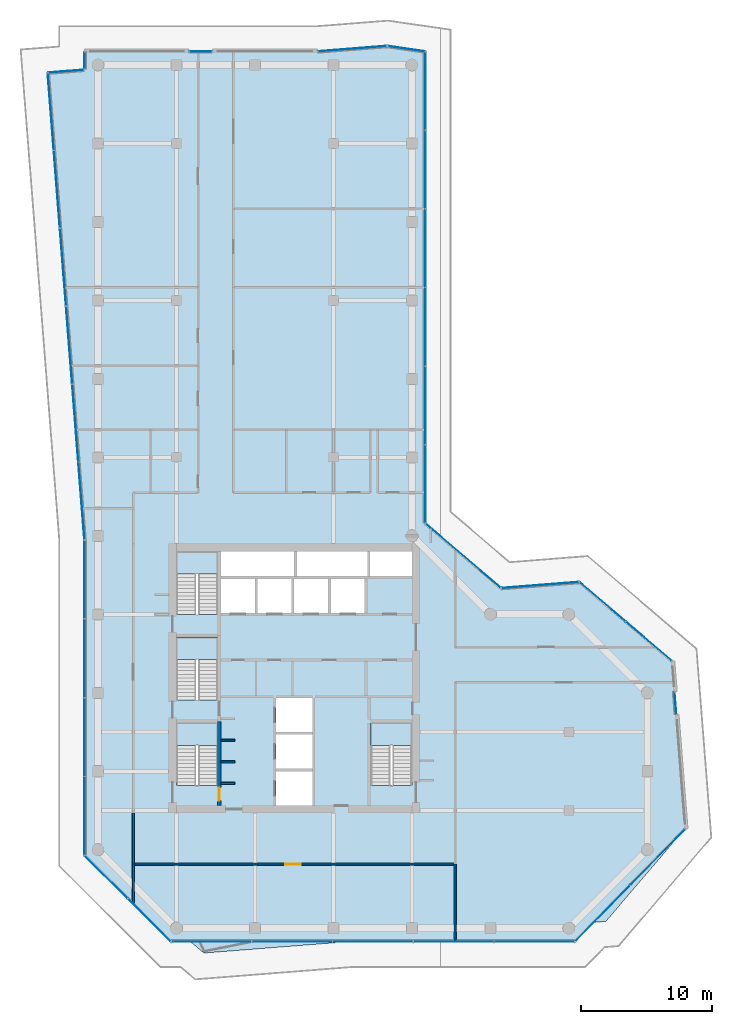
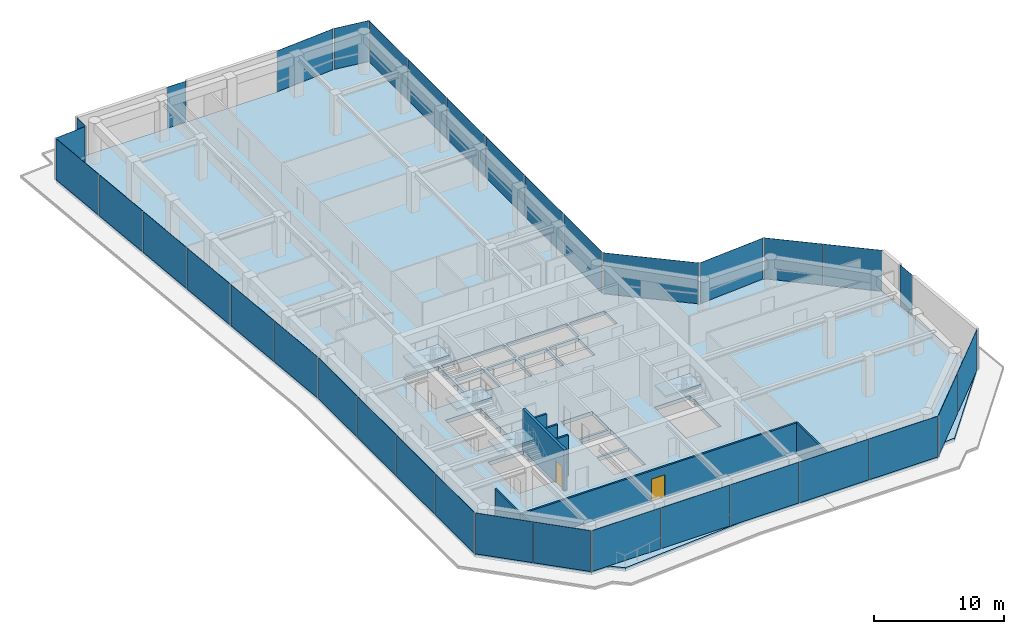
# One storey, part 18 of 23: 35 plates, 8 walls, 5 slabs, 2 doors, 2 openings, 19 elements without a shape of their own.
"""IFC4 building model written with IfcOpenShell, lengths in metres."""

from ifc_helpers import new_model, si_unit, direction, frame, frame_2d, origin, origin_2d, place, context, subcontext, project, spatial, polyline, rectangle, outline, extrude, material, layer, layer_set, type_object, element, fill, aggregate, save


model = new_model("IFC4")

# Units and contexts
model_context = context("Model", 3, precision=1e-05, world=origin(), true_north=direction((0.0, 1.0)))
body_context = subcontext(model_context, "Body", "Model", "MODEL_VIEW")
ifc_project = project(units=[si_unit("LENGTHUNIT", "METRE"), si_unit("AREAUNIT", "SQUARE_METRE"), si_unit("VOLUMEUNIT", "CUBIC_METRE"), si_unit("PLANEANGLEUNIT", "RADIAN"), si_unit("MASSUNIT", "GRAM", prefix="KILO")], contexts=[model_context])

# Site, building, storey
site_placement = place(None, origin())
site = spatial("IfcSite", under=ifc_project, at=site_placement, CompositionType="ELEMENT")
building_placement = place(site_placement, origin())
building = spatial("IfcBuilding", under=site, at=building_placement, Name="Welwitschia Terrace Campus", CompositionType="ELEMENT")
storey_placement = place(building_placement, frame((0.0, 0.0, 188.60009765625)))
storey = spatial("IfcBuildingStorey", under=building, at=storey_placement, Name="L42", CompositionType="ELEMENT", Elevation=188.60009765625)

# Curtain wall, plates
ifc_material_1 = material(Name="Bronze anodised aluminium", Category="aluminium")
ifc_layer_1 = layer(ifc_material_1, 0.1201171875)
ifc_layer_set_1 = layer_set([ifc_layer_1], Name="Bronze anodised aluminium")
curtain_wall_type = type_object("IfcCurtainWallType", Name="Curtain wall CW2 tower 6000", PredefinedType="NOTDEFINED", material=ifc_layer_set_1)
curtain_wall_1_placement = place(storey_placement, origin())
curtain_wall_1 = element("IfcCurtainWall", 1, at=curtain_wall_1_placement, inside=storey, type_object=curtain_wall_type, Name="CW L42.0.0", PredefinedType="NOTDEFINED")
ifc_material_2 = material(Name="Tinted bronze-grey glass", Category="glass")
ifc_layer_2 = layer(ifc_material_2, 0.028076171875)
ifc_layer_set_2 = layer_set([ifc_layer_2], Name="Tinted bronze-grey glass")
plate_type = type_object("IfcPlateType", Name="Glass panel 28 tinted", PredefinedType="CURTAIN_PANEL", material=ifc_layer_set_2)
plate_1_placement = place(storey_placement, frame((-3.60546875, 58.416259765625, -0.000244140625), z_axis=(0.0, 0.0, 1.0), x_axis=(0.078459095728, -0.996917333733, 0.0)))
plate_1 = element("IfcPlate", 2, at=plate_1_placement, type_object=plate_type, Name="Panel L42.0.0.0", PredefinedType="CURTAIN_PANEL", context=body_context, shape_type="SweptSolid", body=[
    extrude(rectangle(XDim=5.880859375, YDim=0.028076171875, at=origin_2d()), origin(), (0.0, 0.0, 1.0), 3.85009765625),
])
plate_2_placement = place(storey_placement, frame((-3.13818359375, 52.478759765625, -0.000244140625), z_axis=(0.0, 0.0, 1.0), x_axis=(0.078459095728, -0.996917333733, 0.0)))
plate_2 = element("IfcPlate", 3, at=plate_2_placement, type_object=plate_type, Name="Panel L42.0.0.1", PredefinedType="CURTAIN_PANEL", context=body_context, shape_type="SweptSolid", body=[
    extrude(rectangle(XDim=5.910888671875, YDim=0.028076171875, at=origin_2d()), origin(), (0.0, 0.0, 1.0), 3.85009765625),
])
plate_3_placement = place(storey_placement, frame((-2.669677734375, 46.5263671875, -0.000244140625), z_axis=(0.0, 0.0, 1.0), x_axis=(0.078459095728, -0.996917333733, 0.0)))
plate_3 = element("IfcPlate", 4, at=plate_3_placement, type_object=plate_type, Name="Panel L42.0.0.2", PredefinedType="CURTAIN_PANEL", context=body_context, shape_type="SweptSolid", body=[
    extrude(rectangle(XDim=5.910888671875, YDim=0.028076171875, at=origin_2d()), origin(), (0.0, 0.0, 1.0), 3.85009765625),
])
plate_4_placement = place(storey_placement, frame((-2.201171875, 40.573974609375, -0.000244140625), z_axis=(0.0, 0.0, 1.0), x_axis=(0.078459095728, -0.996917333733, 0.0)))
plate_4 = element("IfcPlate", 5, at=plate_4_placement, type_object=plate_type, Name="Panel L42.0.0.3", PredefinedType="CURTAIN_PANEL", context=body_context, shape_type="SweptSolid", body=[
    extrude(rectangle(XDim=5.910888671875, YDim=0.028076171875, at=origin_2d()), origin(), (0.0, 0.0, 1.0), 3.85009765625),
])
plate_5_placement = place(storey_placement, frame((-1.732666015625, 34.62158203125, -0.000244140625), z_axis=(0.0, 0.0, 1.0), x_axis=(0.078459095728, -0.996917333733, 0.0)))
plate_5 = element("IfcPlate", 6, at=plate_5_placement, type_object=plate_type, Name="Panel L42.0.0.4", PredefinedType="CURTAIN_PANEL", context=body_context, shape_type="SweptSolid", body=[
    extrude(rectangle(XDim=5.910888671875, YDim=0.028076171875, at=origin_2d()), origin(), (0.0, 0.0, 1.0), 3.85009765625),
])
plate_6_placement = place(storey_placement, frame((-1.265380859375, 28.684326171875, -0.000244140625), z_axis=(0.0, 0.0, 1.0), x_axis=(0.078459095728, -0.996917333733, 0.0)))
plate_6 = element("IfcPlate", 7, at=plate_6_placement, type_object=plate_type, Name="Panel L42.0.0.5", PredefinedType="CURTAIN_PANEL", context=body_context, shape_type="SweptSolid", body=[
    extrude(rectangle(XDim=5.880859375, YDim=0.028076171875, at=origin_2d()), origin(), (0.0, 0.0, 1.0), 3.85009765625),
])
aggregate(curtain_wall_1, [plate_1, plate_2, plate_3, plate_4, plate_5, plate_6])

curtain_wall_2_placement = place(storey_placement, origin())
curtain_wall_2 = element("IfcCurtainWall", 8, at=curtain_wall_2_placement, inside=storey, type_object=curtain_wall_type, Name="CW L42.1.0", PredefinedType="NOTDEFINED")
plate_7_placement = place(storey_placement, frame((-1.030029296875, 22.6630859375, -0.000244140625), z_axis=(0.0, 0.0, 1.0), x_axis=(0.0, -1.0, 0.0)))
plate_7 = element("IfcPlate", 9, at=plate_7_placement, type_object=plate_type, Name="Panel L42.1.0.0", PredefinedType="CURTAIN_PANEL", context=body_context, shape_type="SweptSolid", body=[
    extrude(rectangle(XDim=5.93994140625, YDim=0.028076171875, at=origin_2d()), origin(), (0.0, 0.0, 1.0), 3.85009765625),
])
plate_8_placement = place(storey_placement, frame((-1.030029296875, 16.648193359375, -0.000244140625), z_axis=(0.0, 0.0, 1.0), x_axis=(0.0, -1.0, 0.0)))
plate_8 = element("IfcPlate", 10, at=plate_8_placement, type_object=plate_type, Name="Panel L42.1.0.1", PredefinedType="CURTAIN_PANEL", context=body_context, shape_type="SweptSolid", body=[
    extrude(rectangle(XDim=5.969970703125, YDim=0.028076171875, at=origin_2d()), origin(), (0.0, 0.0, 1.0), 3.85009765625),
])
plate_9_placement = place(storey_placement, frame((-1.030029296875, 10.6181640625, -0.000244140625), z_axis=(0.0, 0.0, 1.0), x_axis=(0.0, -1.0, 0.0)))
plate_9 = element("IfcPlate", 11, at=plate_9_placement, type_object=plate_type, Name="Panel L42.1.0.2", PredefinedType="CURTAIN_PANEL", context=body_context, shape_type="SweptSolid", body=[
    extrude(rectangle(XDim=5.969970703125, YDim=0.028076171875, at=origin_2d()), origin(), (0.0, 0.0, 1.0), 3.85009765625),
])
plate_10_placement = place(storey_placement, frame((-1.030029296875, 4.603271484375, -0.000244140625), z_axis=(0.0, 0.0, 1.0), x_axis=(0.0, -1.0, 0.0)))
plate_10 = element("IfcPlate", 12, at=plate_10_placement, type_object=plate_type, Name="Panel L42.1.0.3", PredefinedType="CURTAIN_PANEL", context=body_context, shape_type="SweptSolid", body=[
    extrude(rectangle(XDim=5.93994140625, YDim=0.028076171875, at=origin_2d()), origin(), (0.0, 0.0, 1.0), 3.85009765625),
])
aggregate(curtain_wall_2, [plate_7, plate_8, plate_9, plate_10])

curtain_wall_3_placement = place(storey_placement, origin())
curtain_wall_3 = element("IfcCurtainWall", 13, at=curtain_wall_3_placement, inside=storey, type_object=curtain_wall_type, Name="CW L42.2.0", PredefinedType="NOTDEFINED")
plate_11_placement = place(storey_placement, frame((0.63134765625, -0.088134765625, -0.000244140625), z_axis=(0.0, 0.0, 1.0), x_axis=(0.707106781187, -0.707106781187, 0.0)))
plate_11 = element("IfcPlate", 14, at=plate_11_placement, type_object=plate_type, Name="Panel L42.2.0.0", PredefinedType="CURTAIN_PANEL", context=body_context, shape_type="SweptSolid", body=[
    extrude(rectangle(XDim=4.579345703125, YDim=0.028076171875, at=origin_2d()), origin(), (0.0, 0.0, 1.0), 3.85009765625),
])
plate_12_placement = place(storey_placement, frame((3.911865234375, -3.36865234375, -0.000244140625), z_axis=(0.0, 0.0, 1.0), x_axis=(0.707106781187, -0.707106781187, 0.0)))
plate_12 = element("IfcPlate", 15, at=plate_12_placement, type_object=plate_type, Name="Panel L42.2.0.1", PredefinedType="CURTAIN_PANEL", context=body_context, shape_type="SweptSolid", body=[
    extrude(rectangle(XDim=4.579345703125, YDim=0.028076171875, at=origin_2d()), origin(), (0.0, 0.0, 1.0), 3.85009765625),
])
aggregate(curtain_wall_3, [plate_11, plate_12])

curtain_wall_4_placement = place(storey_placement, origin())
curtain_wall_4 = element("IfcCurtainWall", 16, at=curtain_wall_4_placement, inside=storey, type_object=curtain_wall_type, Name="CW L42.3.0", PredefinedType="NOTDEFINED")
plate_13_placement = place(storey_placement, frame((8.6767578125, -5.030029296875, -0.000244140625), z_axis=(0.0, 0.0, 1.0), x_axis=(1.0, 0.0, 0.0)))
plate_13 = element("IfcPlate", 17, at=plate_13_placement, type_object=plate_type, Name="Panel L42.3.0.0", PredefinedType="CURTAIN_PANEL", context=body_context, shape_type="SweptSolid", body=[
    extrude(rectangle(XDim=6.086669921875, YDim=0.028076171875, at=origin_2d()), origin(), (0.0, 0.0, 1.0), 3.85009765625),
])
plate_14_placement = place(storey_placement, frame((14.83837890625, -5.030029296875, -0.000244140625), z_axis=(0.0, 0.0, 1.0), x_axis=(1.0, 0.0, 0.0)))
plate_14 = element("IfcPlate", 18, at=plate_14_placement, type_object=plate_type, Name="Panel L42.3.0.1", PredefinedType="CURTAIN_PANEL", context=body_context, shape_type="SweptSolid", body=[
    extrude(rectangle(XDim=6.11669921875, YDim=0.028076171875, at=origin_2d()), origin(), (0.0, 0.0, 1.0), 3.85009765625),
])
plate_15_placement = place(storey_placement, frame((21.014892578125, -5.030029296875, -0.000244140625), z_axis=(0.0, 0.0, 1.0), x_axis=(1.0, 0.0, 0.0)))
plate_15 = element("IfcPlate", 19, at=plate_15_placement, type_object=plate_type, Name="Panel L42.3.0.2", PredefinedType="CURTAIN_PANEL", context=body_context, shape_type="SweptSolid", body=[
    extrude(rectangle(XDim=6.11669921875, YDim=0.028076171875, at=origin_2d()), origin(), (0.0, 0.0, 1.0), 3.85009765625),
])
plate_16_placement = place(storey_placement, frame((27.191650390625, -5.030029296875, -0.000244140625), z_axis=(0.0, 0.0, 1.0), x_axis=(1.0, 0.0, 0.0)))
plate_16 = element("IfcPlate", 20, at=plate_16_placement, type_object=plate_type, Name="Panel L42.3.0.3", PredefinedType="CURTAIN_PANEL", context=body_context, shape_type="SweptSolid", body=[
    extrude(rectangle(XDim=6.11669921875, YDim=0.028076171875, at=origin_2d()), origin(), (0.0, 0.0, 1.0), 3.85009765625),
])
plate_17_placement = place(storey_placement, frame((33.353271484375, -5.030029296875, -0.000244140625), z_axis=(0.0, 0.0, 1.0), x_axis=(1.0, 0.0, 0.0)))
plate_17 = element("IfcPlate", 21, at=plate_17_placement, type_object=plate_type, Name="Panel L42.3.0.4", PredefinedType="CURTAIN_PANEL", context=body_context, shape_type="SweptSolid", body=[
    extrude(rectangle(XDim=6.086669921875, YDim=0.028076171875, at=origin_2d()), origin(), (0.0, 0.0, 1.0), 3.85009765625),
])
aggregate(curtain_wall_4, [plate_13, plate_14, plate_15, plate_16, plate_17])

curtain_wall_5_placement = place(storey_placement, origin())
curtain_wall_5 = element("IfcCurtainWall", 22, at=curtain_wall_5_placement, inside=storey, type_object=curtain_wall_type, Name="CW L42.4.0", PredefinedType="NOTDEFINED")
plate_18_placement = place(storey_placement, frame((38.579345703125, -2.862548828125, -0.000244140625), z_axis=(0.0, 0.0, 1.0), x_axis=(0.699677603272, 0.714458712229, 0.0)))
plate_18 = element("IfcPlate", 23, at=plate_18_placement, type_object=plate_type, Name="Panel L42.4.0.0", PredefinedType="CURTAIN_PANEL", context=body_context, shape_type="SweptSolid", body=[
    extrude(rectangle(XDim=5.947509765625, YDim=0.028076171875, at=origin_2d()), origin(), (0.0, 0.0, 1.0), 3.85009765625),
])
plate_19_placement = place(storey_placement, frame((42.782470703125, 1.4296875, -0.000244140625), z_axis=(0.0, 0.0, 1.0), x_axis=(0.699677603272, 0.714458712229, 0.0)))
plate_19 = element("IfcPlate", 24, at=plate_19_placement, type_object=plate_type, Name="Panel L42.4.0.1", PredefinedType="CURTAIN_PANEL", context=body_context, shape_type="SweptSolid", body=[
    extrude(rectangle(XDim=5.947509765625, YDim=0.028076171875, at=origin_2d()), origin(), (0.0, 0.0, 1.0), 3.85009765625),
])
aggregate(curtain_wall_5, [plate_18, plate_19])

# Curtain wall, plate
curtain_wall_6_placement = place(storey_placement, origin())
curtain_wall_6 = element("IfcCurtainWall", 25, at=curtain_wall_6_placement, inside=storey, type_object=curtain_wall_type, Name="CW L42.5.S0", PredefinedType="NOTDEFINED")
plate_20_placement = place(storey_placement, frame((44.14892578125, 13.207275390625, -0.000244140625), z_axis=(0.0, 0.0, 1.0), x_axis=(-0.078459095728, 0.996917333733, 0.0)))
plate_20 = element("IfcPlate", 26, at=plate_20_placement, type_object=plate_type, Name="Panel L42.5.S0.0", PredefinedType="CURTAIN_PANEL", context=body_context, shape_type="SweptSolid", body=[
    extrude(rectangle(XDim=1.679931640625, YDim=0.028076171875, at=origin_2d()), origin(), (0.0, 0.0, 1.0), 3.85009765625),
])
aggregate(curtain_wall_6, [plate_20])

# Curtain wall, plates
curtain_wall_7_placement = place(storey_placement, origin())
curtain_wall_7 = element("IfcCurtainWall", 27, at=curtain_wall_7_placement, inside=storey, type_object=curtain_wall_type, Name="CW L42.6.0", PredefinedType="NOTDEFINED")
plate_21_placement = place(storey_placement, frame((42.110107421875, 17.936767578125, -0.000244140625), z_axis=(0.0, 0.0, 1.0), x_axis=(-0.7604059656, 0.64944804833, 0.0)))
plate_21 = element("IfcPlate", 28, at=plate_21_placement, type_object=plate_type, Name="Panel L42.6.0.0", PredefinedType="CURTAIN_PANEL", context=body_context, shape_type="SweptSolid", body=[
    extrude(rectangle(XDim=4.579345703125, YDim=0.028076171875, at=origin_2d()), origin(), (0.0, 0.0, 1.0), 3.85009765625),
])
plate_22_placement = place(storey_placement, frame((38.582275390625, 20.94970703125, -0.000244140625), z_axis=(0.0, 0.0, 1.0), x_axis=(-0.7604059656, 0.64944804833, 0.0)))
plate_22 = element("IfcPlate", 29, at=plate_22_placement, type_object=plate_type, Name="Panel L42.6.0.1", PredefinedType="CURTAIN_PANEL", context=body_context, shape_type="SweptSolid", body=[
    extrude(rectangle(XDim=4.579345703125, YDim=0.028076171875, at=origin_2d()), origin(), (0.0, 0.0, 1.0), 3.85009765625),
])
aggregate(curtain_wall_7, [plate_21, plate_22])

# Curtain wall, plate
curtain_wall_8_placement = place(storey_placement, origin())
curtain_wall_8 = element("IfcCurtainWall", 30, at=curtain_wall_8_placement, inside=storey, type_object=curtain_wall_type, Name="CW L42.7.0", PredefinedType="NOTDEFINED")
plate_23_placement = place(storey_placement, frame((33.804931640625, 22.240234375, -0.000244140625), z_axis=(0.0, 0.0, 1.0), x_axis=(-0.996917333733, -0.078459095728, 0.0)))
plate_23 = element("IfcPlate", 31, at=plate_23_placement, type_object=plate_type, Name="Panel L42.7.0.0", PredefinedType="CURTAIN_PANEL", context=body_context, shape_type="SweptSolid", body=[
    extrude(rectangle(XDim=5.8798828125, YDim=0.028076171875, at=origin_2d()), origin(), (0.0, 0.0, 1.0), 3.85009765625),
])
aggregate(curtain_wall_8, [plate_23])

curtain_wall_9_placement = place(storey_placement, origin())
curtain_wall_9 = element("IfcCurtainWall", 32, at=curtain_wall_9_placement, inside=storey, type_object=curtain_wall_type, Name="CW L42.8.0", PredefinedType="NOTDEFINED")
plate_24_placement = place(storey_placement, frame((27.922119140625, 24.474853515625, -0.000244140625), z_axis=(0.0, 0.0, 1.0), x_axis=(-0.7604059656, 0.64944804833, 0.0)))
plate_24 = element("IfcPlate", 33, at=plate_24_placement, type_object=plate_type, Name="Panel L42.8.0.0", PredefinedType="CURTAIN_PANEL", context=body_context, shape_type="SweptSolid", body=[
    extrude(rectangle(XDim=7.48681640625, YDim=0.028076171875, at=origin_2d()), origin(), (0.0, 0.0, 1.0), 3.85009765625),
])
aggregate(curtain_wall_9, [plate_24])

# Curtain wall, plates
curtain_wall_10_placement = place(storey_placement, origin())
curtain_wall_10 = element("IfcCurtainWall", 34, at=curtain_wall_10_placement, inside=storey, type_object=curtain_wall_type, Name="CW L42.9.0", PredefinedType="NOTDEFINED")
plate_25_placement = place(storey_placement, frame((25.030029296875, 29.966796875, -0.000244140625), z_axis=(0.0, 0.0, 1.0), x_axis=(0.0, 1.0, 0.0)))
plate_25 = element("IfcPlate", 35, at=plate_25_placement, type_object=plate_type, Name="Panel L42.9.0.0", PredefinedType="CURTAIN_PANEL", context=body_context, shape_type="SweptSolid", body=[
    extrude(rectangle(XDim=5.923583984375, YDim=0.028076171875, at=origin_2d()), origin(), (0.0, 0.0, 1.0), 3.85009765625),
])
plate_26_placement = place(storey_placement, frame((25.030029296875, 35.96533203125, -0.000244140625), z_axis=(0.0, 0.0, 1.0), x_axis=(0.0, 1.0, 0.0)))
plate_26 = element("IfcPlate", 36, at=plate_26_placement, type_object=plate_type, Name="Panel L42.9.0.1", PredefinedType="CURTAIN_PANEL", context=body_context, shape_type="SweptSolid", body=[
    extrude(rectangle(XDim=5.953369140625, YDim=0.028076171875, at=origin_2d()), origin(), (0.0, 0.0, 1.0), 3.85009765625),
])
plate_27_placement = place(storey_placement, frame((25.030029296875, 41.978759765625, -0.000244140625), z_axis=(0.0, 0.0, 1.0), x_axis=(0.0, 1.0, 0.0)))
plate_27 = element("IfcPlate", 37, at=plate_27_placement, type_object=plate_type, Name="Panel L42.9.0.2", PredefinedType="CURTAIN_PANEL", context=body_context, shape_type="SweptSolid", body=[
    extrude(rectangle(XDim=5.953369140625, YDim=0.028076171875, at=origin_2d()), origin(), (0.0, 0.0, 1.0), 3.85009765625),
])
plate_28_placement = place(storey_placement, frame((25.030029296875, 47.9921875, -0.000244140625), z_axis=(0.0, 0.0, 1.0), x_axis=(0.0, 1.0, 0.0)))
plate_28 = element("IfcPlate", 38, at=plate_28_placement, type_object=plate_type, Name="Panel L42.9.0.3", PredefinedType="CURTAIN_PANEL", context=body_context, shape_type="SweptSolid", body=[
    extrude(rectangle(XDim=5.953369140625, YDim=0.028076171875, at=origin_2d()), origin(), (0.0, 0.0, 1.0), 3.85009765625),
])
plate_29_placement = place(storey_placement, frame((25.030029296875, 54.005615234375, -0.000244140625), z_axis=(0.0, 0.0, 1.0), x_axis=(0.0, 1.0, 0.0)))
plate_29 = element("IfcPlate", 39, at=plate_29_placement, type_object=plate_type, Name="Panel L42.9.0.4", PredefinedType="CURTAIN_PANEL", context=body_context, shape_type="SweptSolid", body=[
    extrude(rectangle(XDim=5.953369140625, YDim=0.028076171875, at=origin_2d()), origin(), (0.0, 0.0, 1.0), 3.85009765625),
])
plate_30_placement = place(storey_placement, frame((25.030029296875, 60.004150390625, -0.000244140625), z_axis=(0.0, 0.0, 1.0), x_axis=(0.0, 1.0, 0.0)))
plate_30 = element("IfcPlate", 40, at=plate_30_placement, type_object=plate_type, Name="Panel L42.9.0.5", PredefinedType="CURTAIN_PANEL", context=body_context, shape_type="SweptSolid", body=[
    extrude(rectangle(XDim=5.923583984375, YDim=0.028076171875, at=origin_2d()), origin(), (0.0, 0.0, 1.0), 3.85009765625),
])
aggregate(curtain_wall_10, [plate_25, plate_26, plate_27, plate_28, plate_29, plate_30])

# Curtain wall, plate
curtain_wall_11_placement = place(storey_placement, origin())
curtain_wall_11 = element("IfcCurtainWall", 41, at=curtain_wall_11_placement, inside=storey, type_object=curtain_wall_type, Name="CW L42.10.0", PredefinedType="NOTDEFINED")
plate_31_placement = place(storey_placement, frame((23.571044921875, 63.238037109375, -0.000244140625), z_axis=(0.0, 0.0, 1.0), x_axis=(-0.989607278711, 0.143796501773, 0.0)))
plate_31 = element("IfcPlate", 42, at=plate_31_placement, type_object=plate_type, Name="Panel L42.10.0.0", PredefinedType="CURTAIN_PANEL", context=body_context, shape_type="SweptSolid", body=[
    extrude(rectangle(XDim=2.828369140625, YDim=0.028076171875, at=origin_2d()), origin(), (0.0, 0.0, 1.0), 3.85009765625),
])
aggregate(curtain_wall_11, [plate_31])

curtain_wall_12_placement = place(storey_placement, origin())
curtain_wall_12 = element("IfcCurtainWall", 43, at=curtain_wall_12_placement, inside=storey, type_object=curtain_wall_type, Name="CW L42.11.0", PredefinedType="NOTDEFINED")
plate_32_placement = place(storey_placement, frame((19.444580078125, 63.239990234375, -0.000244140625), z_axis=(0.0, 0.0, 1.0), x_axis=(-0.996917333733, -0.078459095728, 0.0)))
plate_32 = element("IfcPlate", 44, at=plate_32_placement, type_object=plate_type, Name="Panel L42.11.0.0", PredefinedType="CURTAIN_PANEL", context=body_context, shape_type="SweptSolid", body=[
    extrude(rectangle(XDim=5.23193359375, YDim=0.028076171875, at=origin_2d()), origin(), (0.0, 0.0, 1.0), 3.85009765625),
])
aggregate(curtain_wall_12, [plate_32])

curtain_wall_13_placement = place(storey_placement, origin())
curtain_wall_13 = element("IfcCurtainWall", 45, at=curtain_wall_13_placement, inside=storey, type_object=curtain_wall_type, Name="CW L42.12.S0", PredefinedType="NOTDEFINED")
plate_33_placement = place(storey_placement, frame((7.87353515625, 63.030029296875, -0.000244140625), z_axis=(0.0, 0.0, 1.0), x_axis=(-1.0, 0.0, 0.0)))
plate_33 = element("IfcPlate", 46, at=plate_33_placement, type_object=plate_type, Name="Panel L42.12.S0.0", PredefinedType="CURTAIN_PANEL", context=body_context, shape_type="SweptSolid", body=[
    extrude(rectangle(XDim=1.679931640625, YDim=0.028076171875, at=origin_2d()), origin(), (0.0, 0.0, 1.0), 3.85009765625),
])
aggregate(curtain_wall_13, [plate_33])

curtain_wall_14_placement = place(storey_placement, origin())
curtain_wall_14 = element("IfcCurtainWall", 47, at=curtain_wall_14_placement, inside=storey, type_object=curtain_wall_type, Name="CW L42.13.0", PredefinedType="NOTDEFINED")
plate_34_placement = place(storey_placement, frame((-1.030029296875, 62.329345703125, -0.000244140625), z_axis=(0.0, 0.0, 1.0), x_axis=(0.0, -1.0, 0.0)))
plate_34 = element("IfcPlate", 48, at=plate_34_placement, type_object=plate_type, Name="Panel L42.13.0.0", PredefinedType="CURTAIN_PANEL", context=body_context, shape_type="SweptSolid", body=[
    extrude(rectangle(XDim=1.281494140625, YDim=0.028076171875, at=origin_2d()), origin(), (0.0, 0.0, 1.0), 3.85009765625),
])
aggregate(curtain_wall_14, [plate_34])

curtain_wall_15_placement = place(storey_placement, origin())
curtain_wall_15 = element("IfcCurtainWall", 49, at=curtain_wall_15_placement, inside=storey, type_object=curtain_wall_type, Name="CW L42.14.0", PredefinedType="NOTDEFINED")
plate_35_placement = place(storey_placement, frame((-2.435302734375, 61.51806640625, -0.000244140625), z_axis=(0.0, 0.0, 1.0), x_axis=(-0.996917333733, -0.078459095728, 0.0)))
plate_35 = element("IfcPlate", 50, at=plate_35_placement, type_object=plate_type, Name="Panel L42.14.0.0", PredefinedType="CURTAIN_PANEL", context=body_context, shape_type="SweptSolid", body=[
    extrude(rectangle(XDim=2.699462890625, YDim=0.028076171875, at=origin_2d()), origin(), (0.0, 0.0, 1.0), 3.85009765625),
])
aggregate(curtain_wall_15, [plate_35])

# Stair, slab
ifc_material_3 = material(Name="Concrete C40/50", Category="concrete")
stair_type = type_object("IfcStairType", Name="Stair 24R 175 W1500", PredefinedType="HALF_TURN_STAIR", material=ifc_material_3)
stair_1_placement = place(storey_placement, origin())
stair_1 = element("IfcStair", 51, at=stair_1_placement, inside=storey, type_object=stair_type, Name="L42 Exit stair S1", PredefinedType="HALF_TURN_STAIR")
ifc_material_4 = material(Name="Concrete C40/50", Category="concrete")
ifc_layer_3 = layer(ifc_material_4, 0.199951171875)
ifc_layer_set_3 = layer_set([ifc_layer_3], Name="Concrete C40/50")
slab_type_1 = type_object("IfcSlabType", Name="Stair landing RC", PredefinedType="LANDING", material=ifc_layer_set_3)
slab_1_placement = place(storey_placement, frame((0.0, 0.0, 1.89990234375)))
slab_1 = element("IfcSlab", 52, at=slab_1_placement, type_object=slab_type_1, Name="S1 landing 1", PredefinedType="LANDING", context=body_context, shape_type="SweptSolid", body=[
    extrude(outline(polyline([(9.14990234375, 9.97998046875), (9.14990234375, 11.699951171875), (6.0, 11.699951171875), (6.0, 9.97998046875), (9.14990234375, 9.97998046875)])), origin(), (0.0, 0.0, 1.0), 0.199951171875),
])
aggregate(stair_1, [slab_1])

stair_2_placement = place(storey_placement, origin())
stair_2 = element("IfcStair", 53, at=stair_2_placement, inside=storey, type_object=stair_type, Name="L42 Exit stair S3", PredefinedType="HALF_TURN_STAIR")
slab_2_placement = place(storey_placement, frame((0.0, 0.0, 1.89990234375)))
slab_2 = element("IfcSlab", 54, at=slab_2_placement, type_object=slab_type_1, Name="S3 landing 1", PredefinedType="LANDING", context=body_context, shape_type="SweptSolid", body=[
    extrude(outline(polyline([(9.14990234375, 16.530029296875), (9.14990234375, 18.25), (6.0, 18.25), (6.0, 16.530029296875), (9.14990234375, 16.530029296875)])), origin(), (0.0, 0.0, 1.0), 0.199951171875),
])
aggregate(stair_2, [slab_2])

stair_3_placement = place(storey_placement, origin())
stair_3 = element("IfcStair", 55, at=stair_3_placement, inside=storey, type_object=stair_type, Name="L42 Exit stair S4", PredefinedType="HALF_TURN_STAIR")
slab_3_placement = place(storey_placement, frame((0.0, 0.0, 1.89990234375)))
slab_3 = element("IfcSlab", 56, at=slab_3_placement, type_object=slab_type_1, Name="S4 landing 1", PredefinedType="LANDING", context=body_context, shape_type="SweptSolid", body=[
    extrude(outline(polyline([(9.14990234375, 23.080078125), (9.14990234375, 24.800048828125), (6.0, 24.800048828125), (6.0, 23.080078125), (9.14990234375, 23.080078125)])), origin(), (0.0, 0.0, 1.0), 0.199951171875),
])
aggregate(stair_3, [slab_3])

stair_4_placement = place(storey_placement, origin())
stair_4 = element("IfcStair", 57, at=stair_4_placement, inside=storey, type_object=stair_type, Name="L42 Exit stair S2", PredefinedType="HALF_TURN_STAIR")
slab_4_placement = place(storey_placement, frame((0.0, 0.0, 1.89990234375)))
slab_4 = element("IfcSlab", 58, at=slab_4_placement, type_object=slab_type_1, Name="S2 landing 1", PredefinedType="LANDING", context=body_context, shape_type="SweptSolid", body=[
    extrude(outline(polyline([(24.0, 9.97998046875), (24.0, 11.699951171875), (20.85009765625, 11.699951171875), (20.85009765625, 9.97998046875), (24.0, 9.97998046875)])), origin(), (0.0, 0.0, 1.0), 0.199951171875),
])
aggregate(stair_4, [slab_4])

# Slab
ifc_material_5 = material(Name="Concrete C40/50", Category="concrete")
ifc_layer_4 = layer(ifc_material_5, 0.35009765625)
ifc_layer_set_4 = layer_set([ifc_layer_4], Name="Concrete C40/50")
slab_type_2 = type_object("IfcSlabType", Name="Suspended floor slab 350", PredefinedType="FLOOR", material=ifc_layer_set_4)
slab_5_placement = place(storey_placement, frame((0.0, 0.0, -0.35009765625)))
element("IfcSlab", 59, at=slab_5_placement, inside=storey, type_object=slab_type_2, Name="Floor slab L42", PredefinedType="FLOOR", context=body_context, shape_type="SweptSolid", body=[
    extrude(outline(polyline([(-1.0, 61.600830078125), (-1.0, 63.0), (16.778076171875, 63.0), (22.111328125, 63.419677734375), (25.0, 63.0), (25.0, 26.93115234375), (30.80419921875, 21.97412109375), (36.78564453125, 22.44482421875), (43.867919921875, 16.39599609375), (44.874267578125, 3.607177734375), (38.82568359375, -3.47509765625), (37.86328125, -3.55078125), (36.414306640625, -5.0), (19.44970703125, -5.0), (8.09228515625, -5.893798828125), (7.045654296875, -5.0), (5.585693359375, -5.0), (-1.0, 1.585693359375), (-1.0, 25.6943359375), (-3.80859375, 61.3798828125), (-1.0, 61.600830078125)]), holes=[polyline([(13.60009765625, 8.0), (13.60009765625, 5.39990234375), (16.39990234375, 5.39990234375), (16.39990234375, 8.0), (13.60009765625, 8.0)]), polyline([(9.14990234375, 11.699951171875), (6.0, 11.699951171875), (6.0, 6.902099609375), (9.14990234375, 6.902099609375), (9.14990234375, 11.699951171875)]), polyline([(9.14990234375, 18.25), (6.0, 18.25), (6.0, 13.451904296875), (9.14990234375, 13.451904296875), (9.14990234375, 18.25)]), polyline([(12.0, 22.699951171875), (9.39990234375, 22.699951171875), (9.39990234375, 20.10009765625), (12.0, 20.10009765625), (12.0, 22.699951171875)]), polyline([(14.800048828125, 22.699951171875), (12.199951171875, 22.699951171875), (12.199951171875, 20.10009765625), (14.800048828125, 20.10009765625), (14.800048828125, 22.699951171875)]), polyline([(9.14990234375, 24.800048828125), (6.0, 24.800048828125), (6.0, 20.001953125), (9.14990234375, 20.001953125), (9.14990234375, 24.800048828125)]), polyline([(15.0, 24.800048828125), (9.39990234375, 24.800048828125), (9.39990234375, 22.89990234375), (15.0, 22.89990234375), (15.0, 24.800048828125)]), polyline([(20.85009765625, 11.699951171875), (20.85009765625, 6.902099609375), (24.0, 6.902099609375), (24.0, 11.699951171875), (20.85009765625, 11.699951171875)]), polyline([(16.39990234375, 10.800048828125), (13.60009765625, 10.800048828125), (13.60009765625, 8.199951171875), (16.39990234375, 8.199951171875), (16.39990234375, 10.800048828125)]), polyline([(16.39990234375, 13.60009765625), (13.60009765625, 13.60009765625), (13.60009765625, 11.0), (16.39990234375, 11.0), (16.39990234375, 13.60009765625)]), polyline([(17.60009765625, 22.699951171875), (15.0, 22.699951171875), (15.0, 20.10009765625), (17.60009765625, 20.10009765625), (17.60009765625, 22.699951171875)]), polyline([(20.39990234375, 22.699951171875), (17.800048828125, 22.699951171875), (17.800048828125, 20.10009765625), (20.39990234375, 20.10009765625), (20.39990234375, 22.699951171875)]), polyline([(20.60009765625, 24.800048828125), (15.199951171875, 24.800048828125), (15.199951171875, 22.89990234375), (20.60009765625, 22.89990234375), (20.60009765625, 24.800048828125)]), polyline([(24.0, 24.800048828125), (20.800048828125, 24.800048828125), (20.800048828125, 22.89990234375), (24.0, 22.89990234375), (24.0, 24.800048828125)])]), origin(), (0.0, 0.0, 1.0), 0.35009765625),
])

# Walls
ifc_material_6 = material(Name="Concrete C50/60", Category="concrete")
ifc_layer_5 = layer(ifc_material_6, 0.14990234375)
ifc_layer_set_5 = layer_set([ifc_layer_5], Name="Concrete C50/60")
wall_type_1 = type_object("IfcWallType", Name="Core wall 150 Concrete C50/60", PredefinedType="SHEAR", material=ifc_layer_set_5)
for number, where, z_axis, x_axis, name in (
    (60, (9.39990234375, 7.074951171875, 0.0), (0.0, 0.0, 1.0), (1.0, 0.0, 0.0), "Core wall"),
    (61, (9.39990234375, 8.72509765625, 0.0), (0.0, 0.0, 1.0), (1.0, 0.0, 0.0), "Core wall"),
    (62, (9.39990234375, 10.375, 0.0), (0.0, 0.0, 1.0), (1.0, 0.0, 0.0), "Core wall"),
):
    element("IfcWall", number, at=place(storey_placement, frame(where, z_axis=z_axis, x_axis=x_axis)), inside=storey, type_object=wall_type_1, Name=name, PredefinedType="SHEAR", context=body_context, shape_type="SweptSolid", body=[
        extrude(rectangle(XDim=1.050048828125, YDim=0.14990234375, at=frame_2d((0.52490234375, 0.0))), origin(), (0.0, 0.0, 1.0), 3.849853515625),
    ])

# Wall, opening, door
ifc_material_7 = material(Name="Concrete C50/60", Category="concrete")
ifc_layer_6 = layer(ifc_material_7, 0.25)
ifc_layer_set_6 = layer_set([ifc_layer_6], Name="Concrete C50/60")
wall_type_2 = type_object("IfcWallType", Name="Core wall 250 Concrete C50/60", PredefinedType="SHEAR", material=ifc_layer_set_6)
wall_1_placement = place(storey_placement, frame((9.27490234375, 11.824951171875, 0.0), z_axis=(0.0, 0.0, 1.0), x_axis=(0.0, -1.0, 0.0)))
wall_1 = element("IfcWall", 63, at=wall_1_placement, inside=storey, type_object=wall_type_2, Name="Core wall", PredefinedType="SHEAR", context=body_context, shape_type="SweptSolid", body=[
    extrude(rectangle(XDim=6.425048828125, YDim=0.25, at=frame_2d((3.21240234375, 0.0))), origin(), (0.0, 0.0, 1.0), 3.849853515625),
])
opening_1_placement = place(wall_1_placement, frame((5.074951171875, 0.0, 0.0)))
opening_1 = element("IfcOpeningElement", 64, at=opening_1_placement, cuts=wall_1, Name="Opening DS10", PredefinedType="OPENING", context=body_context, shape_type="SweptSolid", body=[
    extrude(rectangle(XDim=1.0, YDim=2.10009765625, at=frame_2d((0.5, 1.050048828125))), frame((0.0, 0.135009765625, 0.0), z_axis=(0.0, -1.0, 0.0), x_axis=(1.0, 0.0, 0.0)), (0.0, 0.0, 1.0), 0.27001953125),
])
ifc_material_8 = material(Name="Steel S275", Category="steel")
door_type_1 = type_object("IfcDoorType", Name="Core door DS10", OperationType="SINGLE_SWING_LEFT", PredefinedType="DOOR", material=ifc_material_8)
door_1_placement = place(opening_1_placement, origin())
door_1 = element("IfcDoor", 65, at=door_1_placement, inside=storey, type_object=door_type_1, Name="Door S1-FL", OperationType="SINGLE_SWING_RIGHT", OverallHeight=2.10009765625, OverallWidth=1.0, PredefinedType="DOOR", context=body_context, shape_type="SweptSolid", body=[
    extrude(rectangle(XDim=1.0, YDim=2.10009765625, at=frame_2d((0.5, 1.050048828125))), frame((0.0, 0.02490234375, 0.0), z_axis=(0.0, -1.0, 0.0), x_axis=(1.0, 0.0, 0.0)), (0.0, 0.0, 1.0), 0.050048828125),
])
fill(opening_1, door_1)

# Walls
ifc_material_9 = material(Name="Gypsum board on steel studs", Category="steel")
ifc_layer_7 = layer(ifc_material_9, 0.14990234375)
ifc_layer_set_7 = layer_set([ifc_layer_7], Name="Gypsum board on steel studs")
wall_type_3 = type_object("IfcWallType", Name="Corridor partition 150 EI 30", PredefinedType="PARTITIONING", material=ifc_layer_set_7)
wall_2_placement = place(storey_placement, frame((2.699951171875, -2.090087890625, 0.0), z_axis=(0.0, 0.0, 1.0), x_axis=(0.0, 1.0, 0.0)))
element("IfcWall", 66, at=wall_2_placement, inside=storey, type_object=wall_type_3, Name="Partition", PredefinedType="PARTITIONING", context=body_context, shape_type="SweptSolid", body=[
    extrude(rectangle(XDim=2.989990234375, YDim=0.14990234375, at=frame_2d((1.4951171875, 0.0))), origin(), (0.0, 0.0, 1.0), 2.8798828125),
])
wall_3_placement = place(storey_placement, frame((2.699951171875, 0.89990234375, 0.0), z_axis=(0.0, 0.0, 1.0), x_axis=(0.0, 1.0, 0.0)))
element("IfcWall", 67, at=wall_3_placement, inside=storey, type_object=wall_type_3, Name="Partition", PredefinedType="PARTITIONING", context=body_context, shape_type="SweptSolid", body=[
    extrude(rectangle(XDim=3.900146484375, YDim=0.14990234375, at=frame_2d((1.9501953125, 0.0))), origin(), (0.0, 0.0, 1.0), 2.8798828125),
])
wall_4_placement = place(storey_placement, frame((27.300048828125, -4.97998046875, 0.0), z_axis=(0.0, 0.0, 1.0), x_axis=(0.0, 1.0, 0.0)))
element("IfcWall", 68, at=wall_4_placement, inside=storey, type_object=wall_type_3, Name="Partition", PredefinedType="PARTITIONING", context=body_context, shape_type="SweptSolid", body=[
    extrude(rectangle(XDim=5.8798828125, YDim=0.14990234375, at=frame_2d((2.93994140625, 0.0))), origin(), (0.0, 0.0, 1.0), 2.8798828125),
])

# Wall, opening, door
wall_5_placement = place(storey_placement, frame((27.300048828125, 0.89990234375, 0.0), z_axis=(0.0, 0.0, 1.0), x_axis=(-1.0, 0.0, 0.0)))
wall_5 = element("IfcWall", 69, at=wall_5_placement, inside=storey, type_object=wall_type_3, Name="Partition", PredefinedType="PARTITIONING", context=body_context, shape_type="SweptSolid", body=[
    extrude(rectangle(XDim=24.60009765625, YDim=0.14990234375, at=frame_2d((12.300048828125, 0.0))), origin(), (0.0, 0.0, 1.0), 2.8798828125),
])
opening_2_placement = place(wall_5_placement, frame((11.800048828125, 0.0, 0.0)))
opening_2 = element("IfcOpeningElement", 70, at=opening_2_placement, cuts=wall_5, Name="Opening DI12", PredefinedType="OPENING", context=body_context, shape_type="SweptSolid", body=[
    extrude(rectangle(XDim=1.199951171875, YDim=2.10009765625, at=frame_2d((0.60009765625, 1.050048828125))), frame((0.0, 0.0849609375, 0.0), z_axis=(0.0, -1.0, 0.0), x_axis=(1.0, 0.0, 0.0)), (0.0, 0.0, 1.0), 0.169921875),
])
ifc_material_10 = material(Name="Timber veneered door", Category="wood")
door_type_2 = type_object("IfcDoorType", Name="Interior door DI12", OperationType="NOTDEFINED", PredefinedType="DOOR", material=ifc_material_10)
door_2_placement = place(opening_2_placement, origin())
door_2 = element("IfcDoor", 71, at=door_2_placement, inside=storey, type_object=door_type_2, Name="Door L42 834", OperationType="SINGLE_SWING_LEFT", OverallHeight=2.10009765625, OverallWidth=1.199951171875, PredefinedType="DOOR", context=body_context, shape_type="SweptSolid", body=[
    extrude(rectangle(XDim=1.199951171875, YDim=2.10009765625, at=frame_2d((0.60009765625, 1.050048828125))), frame((0.0, 0.02490234375, 0.0), z_axis=(0.0, -1.0, 0.0), x_axis=(1.0, 0.0, 0.0)), (0.0, 0.0, 1.0), 0.050048828125),
])
fill(opening_2, door_2)

save(model, "model.ifc")
